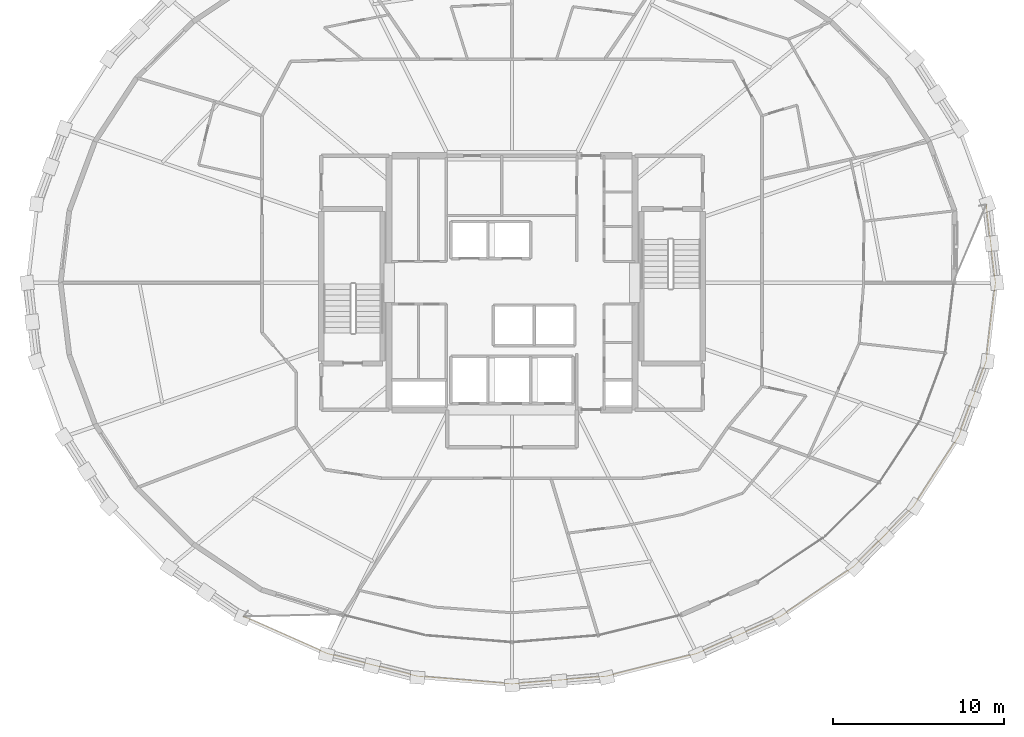
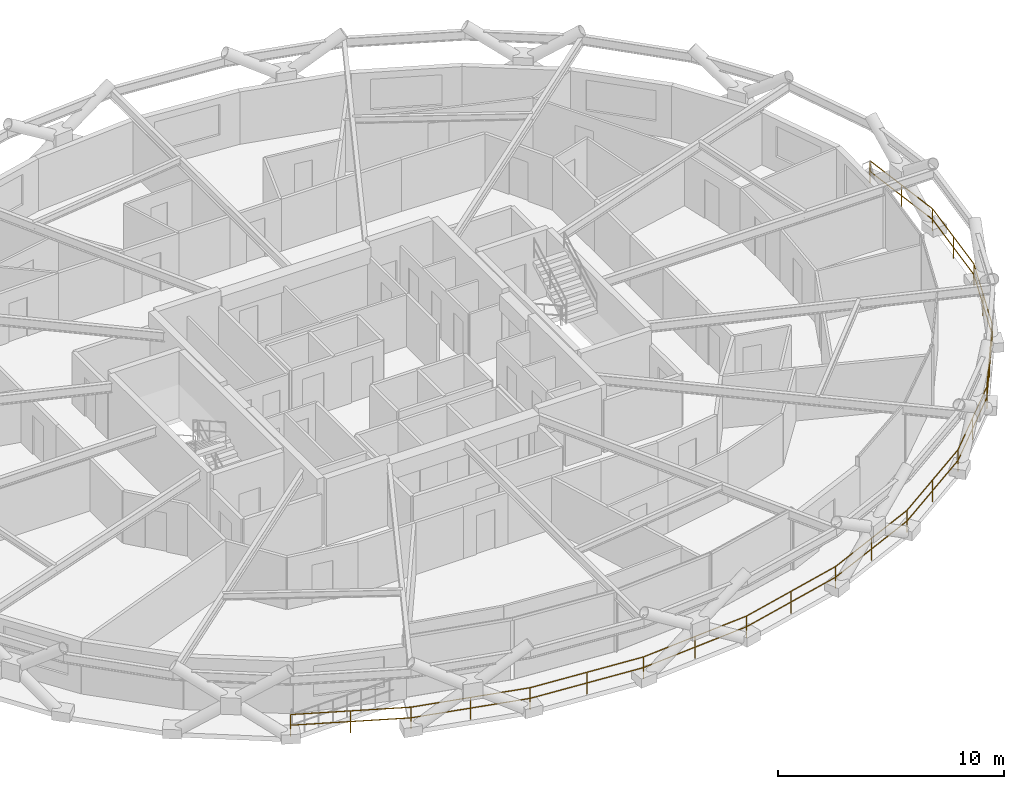
# One storey, part 20 of 21: 1 railing.
"""IFC4 building model written with IfcOpenShell, lengths in metres."""

from ifc_helpers import new_model, si_unit, direction, frame, origin, origin_2d, place, context, subcontext, project, spatial, circle, extrude, material, type_object, element, save


model = new_model("IFC4")

# Units and contexts
model_context = context("Model", 3, precision=1e-05, world=origin(), true_north=direction((0.0, 1.0)))
body_context = subcontext(model_context, "Body", "Model", "MODEL_VIEW")
ifc_project = project(units=[si_unit("LENGTHUNIT", "METRE"), si_unit("AREAUNIT", "SQUARE_METRE"), si_unit("VOLUMEUNIT", "CUBIC_METRE"), si_unit("PLANEANGLEUNIT", "RADIAN"), si_unit("MASSUNIT", "GRAM", prefix="KILO")], contexts=[model_context])

# Site, building, storey
site_placement = place(None, origin())
site = spatial("IfcSite", under=ifc_project, at=site_placement, CompositionType="ELEMENT")
building_placement = place(site_placement, origin())
building = spatial("IfcBuilding", under=site, at=building_placement, Name="Veldorina Hangang Commons", CompositionType="ELEMENT")
storey_placement = place(building_placement, frame((0.0, 0.0, 142.39990234375)))
storey = spatial("IfcBuildingStorey", under=building, at=storey_placement, Name="L36", CompositionType="ELEMENT", Elevation=142.39990234375)

# Railing
ifc_material = material(Name="Glass Laminated Safety Balustrade", Category="glass")
railing_type = type_object("IfcRailingType", Name="RL-BAL-LOGGIA", PredefinedType="BALUSTRADE", material=ifc_material)
railing_placement = place(storey_placement, frame((16.263916015625, 4.44775390625, 0.0)))
element("IfcRailing", 1, at=railing_placement, inside=storey, type_object=railing_type, Name="L36 sky-garden loggia outer balustrade", PredefinedType="BALUSTRADE", context=body_context, shape_type="SweptSolid", body=[
    extrude(circle(Radius=0.02392578125, at=origin_2d()), frame((0.0, 0.0, 1.17578125), z_axis=(0.914241374323, -0.40516997603, 0.0), x_axis=(0.40516997603, 0.914241374323, 0.0)), (0.0, 0.0, 1.0), 5.357421875),
    extrude(circle(Radius=0.02392578125, at=origin_2d()), frame((0.0, 0.0, 0.60009765625), z_axis=(0.914241374323, -0.40516997603, 0.0), x_axis=(0.40516997603, 0.914241374323, 0.0)), (0.0, 0.0, 1.0), 5.357421875),
    extrude(circle(Radius=0.02392578125, at=origin_2d()), frame((4.89794921875, -2.170654296875, 1.17578125), z_axis=(0.969803410092, -0.243887977918, 0.0), x_axis=(0.243887977918, 0.969803410092, 0.0)), (0.0, 0.0, 1.0), 5.478759765625),
    extrude(circle(Radius=0.02392578125, at=origin_2d()), frame((4.89794921875, -2.170654296875, 0.60009765625), z_axis=(0.969803410092, -0.243887977918, 0.0), x_axis=(0.243887977918, 0.969803410092, 0.0)), (0.0, 0.0, 1.0), 5.478759765625),
    extrude(circle(Radius=0.02392578125, at=origin_2d()), frame((10.211181640625, -3.5068359375, 1.17578125), z_axis=(0.996682283, -0.081390581484, 0.0), x_axis=(0.081390581484, 0.996682283, 0.0)), (0.0, 0.0, 1.0), 5.543212890625),
    extrude(circle(Radius=0.02392578125, at=origin_2d()), frame((10.211181640625, -3.5068359375, 0.60009765625), z_axis=(0.996682283, -0.081390581484, 0.0), x_axis=(0.081390581484, 0.996682283, 0.0)), (0.0, 0.0, 1.0), 5.543212890625),
    extrude(circle(Radius=0.02392578125, at=origin_2d()), frame((15.736083984375, -3.9580078125, 1.17578125), z_axis=(0.996682283, 0.081390581484, 0.0), x_axis=(-0.081390581484, 0.996682283, 0.0)), (0.0, 0.0, 1.0), 5.543212890625),
    extrude(circle(Radius=0.02392578125, at=origin_2d()), frame((15.736083984375, -3.9580078125, 0.60009765625), z_axis=(0.996682283, 0.081390581484, 0.0), x_axis=(-0.081390581484, 0.996682283, 0.0)), (0.0, 0.0, 1.0), 5.543212890625),
    extrude(circle(Radius=0.02392578125, at=origin_2d()), frame((21.260986328125, -3.5068359375, 1.17578125), z_axis=(0.969803410092, 0.243887977918, 0.0), x_axis=(-0.243887977918, 0.969803410092, 0.0)), (0.0, 0.0, 1.0), 5.478759765625),
    extrude(circle(Radius=0.02392578125, at=origin_2d()), frame((21.260986328125, -3.5068359375, 0.60009765625), z_axis=(0.969803410092, 0.243887977918, 0.0), x_axis=(-0.243887977918, 0.969803410092, 0.0)), (0.0, 0.0, 1.0), 5.478759765625),
    extrude(circle(Radius=0.02392578125, at=origin_2d()), frame((26.57421875, -2.170654296875, 1.17578125), z_axis=(0.914241374323, 0.40516997603, 0.0), x_axis=(-0.40516997603, 0.914241374323, 0.0)), (0.0, 0.0, 1.0), 5.357421875),
    extrude(circle(Radius=0.02392578125, at=origin_2d()), frame((26.57421875, -2.170654296875, 0.60009765625), z_axis=(0.914241374323, 0.40516997603, 0.0), x_axis=(-0.40516997603, 0.914241374323, 0.0)), (0.0, 0.0, 1.0), 5.357421875),
    extrude(circle(Radius=0.02392578125, at=origin_2d()), frame((31.47216796875, 0.0, 1.17578125), z_axis=(0.826734133268, 0.56259281269, 0.0), x_axis=(-0.56259281269, 0.826734133268, 0.0)), (0.0, 0.0, 1.0), 5.1943359375),
    extrude(circle(Radius=0.02392578125, at=origin_2d()), frame((31.47216796875, 0.0, 0.60009765625), z_axis=(0.826734133268, 0.56259281269, 0.0), x_axis=(-0.56259281269, 0.826734133268, 0.0)), (0.0, 0.0, 1.0), 5.1943359375),
    extrude(circle(Radius=0.02392578125, at=origin_2d()), frame((35.7666015625, 2.92236328125, 1.17578125), z_axis=(0.703395010942, 0.710799168952, 0.0), x_axis=(-0.710799168952, 0.703395010942, 0.0)), (0.0, 0.0, 1.0), 5.011962890625),
    extrude(circle(Radius=0.02392578125, at=origin_2d()), frame((35.7666015625, 2.92236328125, 0.60009765625), z_axis=(0.703395010942, 0.710799168952, 0.0), x_axis=(-0.710799168952, 0.703395010942, 0.0)), (0.0, 0.0, 1.0), 5.011962890625),
    extrude(circle(Radius=0.02392578125, at=origin_2d()), frame((39.2919921875, 6.48486328125, 1.17578125), z_axis=(0.541703711324, 0.840569502859, 0.0), x_axis=(-0.840569502859, 0.541703711324, 0.0)), (0.0, 0.0, 1.0), 4.8369140625),
    extrude(circle(Radius=0.02392578125, at=origin_2d()), frame((39.2919921875, 6.48486328125, 0.60009765625), z_axis=(0.541703711324, 0.840569502859, 0.0), x_axis=(-0.840569502859, 0.541703711324, 0.0)), (0.0, 0.0, 1.0), 4.8369140625),
    extrude(circle(Radius=0.02392578125, at=origin_2d()), frame((41.912109375, 10.550537109375, 1.17578125), z_axis=(0.343469752975, 0.939163739074, 0.0), x_axis=(-0.939163739074, 0.343469752975, 0.0)), (0.0, 0.0, 1.0), 4.698486328125),
    extrude(circle(Radius=0.02392578125, at=origin_2d()), frame((41.912109375, 10.550537109375, 0.60009765625), z_axis=(0.343469752975, 0.939163739074, 0.0), x_axis=(-0.939163739074, 0.343469752975, 0.0)), (0.0, 0.0, 1.0), 4.698486328125),
    extrude(circle(Radius=0.02392578125, at=origin_2d()), frame((43.52587890625, 14.963134765625, 1.17578125), z_axis=(0.117913983604, 0.99302381264, 0.0), x_axis=(-0.99302381264, 0.117913983604, 0.0)), (0.0, 0.0, 1.0), 4.621337890625),
    extrude(circle(Radius=0.02392578125, at=origin_2d()), frame((43.52587890625, 14.963134765625, 0.60009765625), z_axis=(0.117913983604, 0.99302381264, 0.0), x_axis=(-0.99302381264, 0.117913983604, 0.0)), (0.0, 0.0, 1.0), 4.621337890625),
    extrude(circle(Radius=0.02392578125, at=origin_2d()), frame((44.07080078125, 19.55224609375, 1.17578125), z_axis=(-0.117913983604, 0.99302381264, 0.0), x_axis=(-0.99302381264, -0.117913983604, 0.0)), (0.0, 0.0, 1.0), 4.621337890625),
    extrude(circle(Radius=0.02392578125, at=origin_2d()), frame((44.07080078125, 19.55224609375, 0.60009765625), z_axis=(-0.117913983604, 0.99302381264, 0.0), x_axis=(-0.99302381264, -0.117913983604, 0.0)), (0.0, 0.0, 1.0), 4.621337890625),
    extrude(circle(Radius=0.02099609375, at=origin_2d()), origin(), (0.0, 0.0, 1.0), 1.15185546875),
    extrude(circle(Radius=0.02099609375, at=origin_2d()), frame((2.448974609375, -1.08544921875, 0.0)), (0.0, 0.0, 1.0), 1.15185546875),
    extrude(circle(Radius=0.02099609375, at=origin_2d()), frame((4.89794921875, -2.170654296875, 0.0)), (0.0, 0.0, 1.0), 1.15185546875),
    extrude(circle(Radius=0.02099609375, at=origin_2d()), frame((7.5546875, -2.8388671875, 0.0)), (0.0, 0.0, 1.0), 1.15185546875),
    extrude(circle(Radius=0.02099609375, at=origin_2d()), frame((10.211181640625, -3.5068359375, 0.0)), (0.0, 0.0, 1.0), 1.15185546875),
    extrude(circle(Radius=0.02099609375, at=origin_2d()), frame((12.9736328125, -3.732421875, 0.0)), (0.0, 0.0, 1.0), 1.15185546875),
    extrude(circle(Radius=0.02099609375, at=origin_2d()), frame((15.736083984375, -3.9580078125, 0.0)), (0.0, 0.0, 1.0), 1.15185546875),
    extrude(circle(Radius=0.02099609375, at=origin_2d()), frame((18.49853515625, -3.732421875, 0.0)), (0.0, 0.0, 1.0), 1.15185546875),
    extrude(circle(Radius=0.02099609375, at=origin_2d()), frame((21.260986328125, -3.5068359375, 0.0)), (0.0, 0.0, 1.0), 1.15185546875),
    extrude(circle(Radius=0.02099609375, at=origin_2d()), frame((23.91748046875, -2.8388671875, 0.0)), (0.0, 0.0, 1.0), 1.15185546875),
    extrude(circle(Radius=0.02099609375, at=origin_2d()), frame((26.57421875, -2.170654296875, 0.0)), (0.0, 0.0, 1.0), 1.15185546875),
    extrude(circle(Radius=0.02099609375, at=origin_2d()), frame((29.023193359375, -1.08544921875, 0.0)), (0.0, 0.0, 1.0), 1.15185546875),
    extrude(circle(Radius=0.02099609375, at=origin_2d()), frame((31.47216796875, 0.0, 0.0)), (0.0, 0.0, 1.0), 1.15185546875),
    extrude(circle(Radius=0.02099609375, at=origin_2d()), frame((33.619384765625, 1.461181640625, 0.0)), (0.0, 0.0, 1.0), 1.15185546875),
    extrude(circle(Radius=0.02099609375, at=origin_2d()), frame((35.7666015625, 2.92236328125, 0.0)), (0.0, 0.0, 1.0), 1.15185546875),
    extrude(circle(Radius=0.02099609375, at=origin_2d()), frame((37.529296875, 4.70361328125, 0.0)), (0.0, 0.0, 1.0), 1.15185546875),
    extrude(circle(Radius=0.02099609375, at=origin_2d()), frame((39.2919921875, 6.48486328125, 0.0)), (0.0, 0.0, 1.0), 1.15185546875),
    extrude(circle(Radius=0.02099609375, at=origin_2d()), frame((40.60205078125, 8.517578125, 0.0)), (0.0, 0.0, 1.0), 1.15185546875),
    extrude(circle(Radius=0.02099609375, at=origin_2d()), frame((41.912109375, 10.550537109375, 0.0)), (0.0, 0.0, 1.0), 1.15185546875),
    extrude(circle(Radius=0.02099609375, at=origin_2d()), frame((42.718994140625, 12.7568359375, 0.0)), (0.0, 0.0, 1.0), 1.15185546875),
    extrude(circle(Radius=0.02099609375, at=origin_2d()), frame((43.52587890625, 14.963134765625, 0.0)), (0.0, 0.0, 1.0), 1.15185546875),
    extrude(circle(Radius=0.02099609375, at=origin_2d()), frame((43.79833984375, 17.2578125, 0.0)), (0.0, 0.0, 1.0), 1.15185546875),
    extrude(circle(Radius=0.02099609375, at=origin_2d()), frame((44.07080078125, 19.55224609375, 0.0)), (0.0, 0.0, 1.0), 1.15185546875),
    extrude(circle(Radius=0.02099609375, at=origin_2d()), frame((43.79833984375, 21.8466796875, 0.0)), (0.0, 0.0, 1.0), 1.15185546875),
    extrude(circle(Radius=0.02099609375, at=origin_2d()), frame((43.52587890625, 24.141357421875, 0.0)), (0.0, 0.0, 1.0), 1.15185546875),
])

save(model, "model.ifc")
